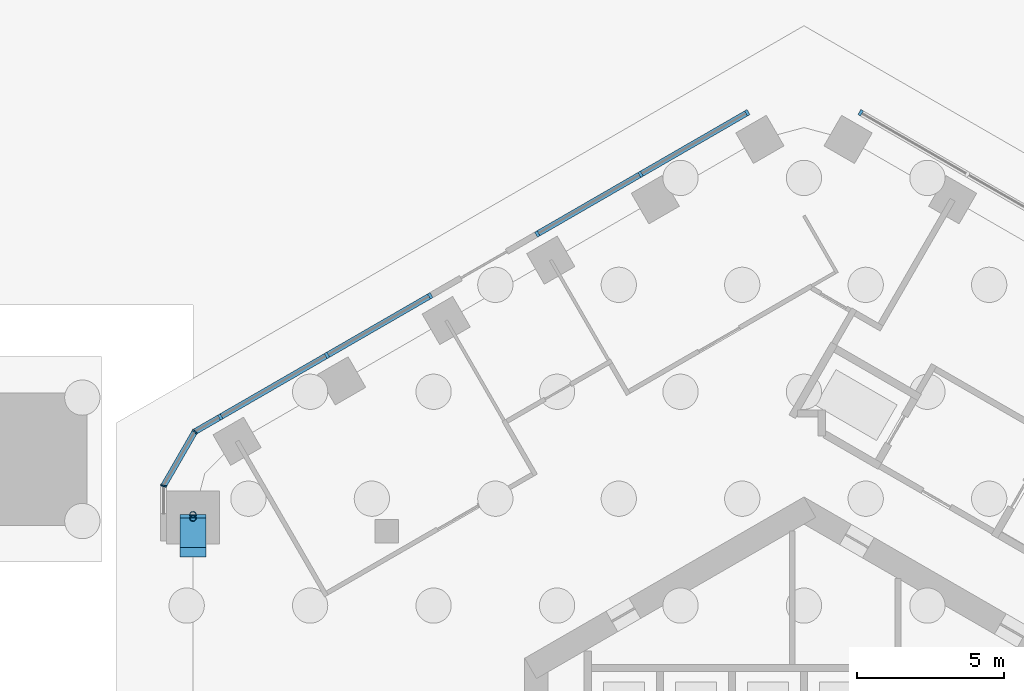
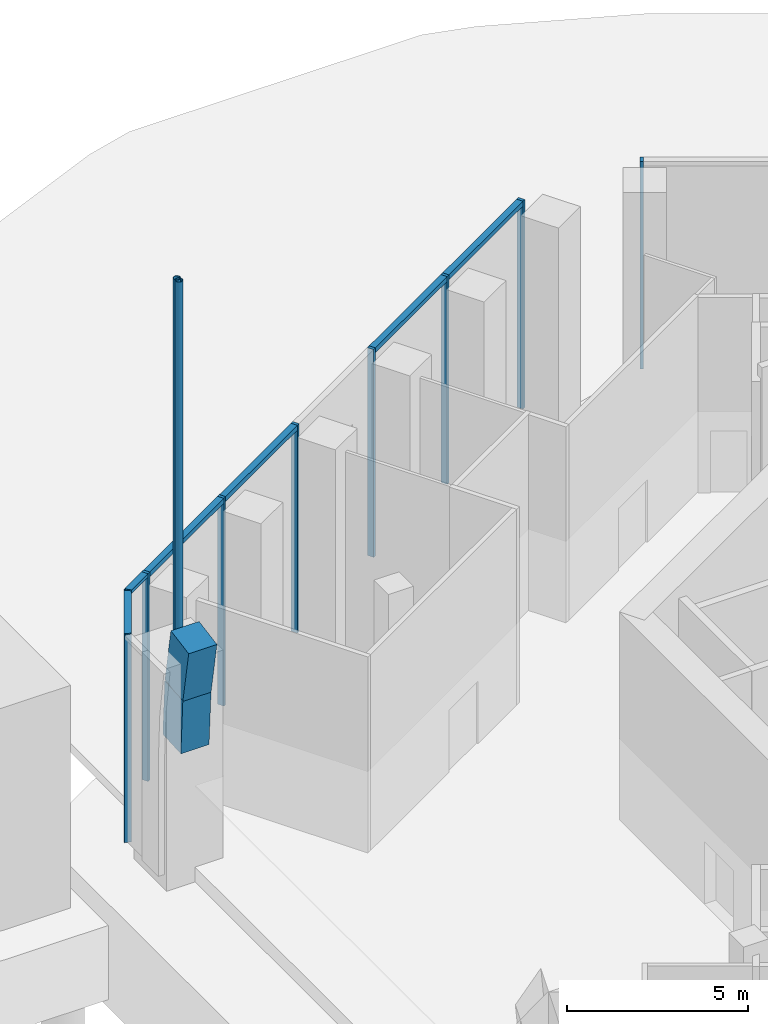
# One storey, part 4 of 18: 15 members, 2 beams, 4 elements without a shape of their own.
"""IFC4 building model written with IfcOpenShell, lengths in metres."""

from ifc_helpers import new_model, si_unit, direction, frame, origin, origin_2d, place, context, subcontext, project, spatial, rectangle, hollow_circle, extrude, material, layer, layer_set, material_profile, profile_set, type_object, element, aggregate, save


model = new_model("IFC4")

# Units and contexts
model_context = context("Model", 3, precision=1e-05, world=origin(), true_north=direction((0.0, 1.0)))
body_context = subcontext(model_context, "Body", "Model", "MODEL_VIEW")
ifc_project = project(units=[si_unit("LENGTHUNIT", "METRE"), si_unit("AREAUNIT", "SQUARE_METRE"), si_unit("VOLUMEUNIT", "CUBIC_METRE"), si_unit("PLANEANGLEUNIT", "RADIAN"), si_unit("MASSUNIT", "GRAM", prefix="KILO")], contexts=[model_context])

# Site, building, storey
site_placement = place(None, origin())
site = spatial("IfcSite", under=ifc_project, at=site_placement, CompositionType="ELEMENT")
building_placement = place(site_placement, origin())
building = spatial("IfcBuilding", under=site, at=building_placement, Name="Ayvan Gate Tower", CompositionType="ELEMENT")
storey_placement = place(building_placement, origin())
storey = spatial("IfcBuildingStorey", under=building, at=storey_placement, Name="L00", CompositionType="ELEMENT", Elevation=0.0)

# Beams
ifc_material_1 = material(Name="Concrete C60/75", Category="concrete")
ifc_material_profile_1 = material_profile(ifc_material_1, rectangle(XDim=0.89990234375, YDim=1.0, at=origin_2d()), Name="RC 900x1000")
ifc_profile_set_1 = profile_set([ifc_material_profile_1], Name="Concrete C60/75")
beam_type = type_object("IfcBeamType", Name="Arch rib RC 900x1000 C60/75", PredefinedType="BEAM", material=ifc_profile_set_1)
for number, where, z_axis, x_axis, name in (
    (1, (-20.78466796875, 9.867919921875, 4.0), (0.0, -0.059573960117, 0.998223894362), (1.0, 0.0, 0.0), "AR-3-1"),
    (2, (-20.78466796875, 9.7568359375, 5.861328125), (0.0, -0.177929066797, 0.984043315708), (1.0, 0.0, 0.0), "AR-3-2"),
):
    element("IfcBeam", number, at=place(storey_placement, frame(where, z_axis=z_axis, x_axis=x_axis)), inside=storey, type_object=beam_type, Name=name, PredefinedType="BEAM", context=body_context, shape_type="SweptSolid", body=[
        extrude(rectangle(XDim=0.89990234375, YDim=1.0, at=origin_2d()), origin(), (0.0, 0.0, 1.0), 1.86474609375),
    ])

# Members
ifc_material_2 = material(Name="Steel S460NH", Category="steel")
ifc_material_profile_2 = material_profile(ifc_material_2, hollow_circle(Radius=0.109619140625, WallThickness=0.012451171875, at=origin_2d()), Name="CHS 219.1x12.5")
ifc_profile_set_2 = profile_set([ifc_material_profile_2], Name="Steel S460NH")
member_type_1 = type_object("IfcMemberType", Name="Arch rib hanger CHS 219.1x12.5", PredefinedType="STRUT", material=ifc_profile_set_2)
member_1_placement = place(storey_placement, frame((-20.78466796875, 10.366943359375, 3.97021484375), z_axis=(0.0, 0.0, 1.0), x_axis=(1.0, 0.0, 0.0)))
element("IfcMember", 3, at=member_1_placement, inside=storey, type_object=member_type_1, Name="ARH-3-1", PredefinedType="STRUT", context=body_context, shape_type="SweptSolid", body=[
    extrude(hollow_circle(Radius=0.109619140625, WallThickness=0.012451171875, at=origin_2d()), origin(), (0.0, 0.0, 1.0), 15.27978515625),
])
member_2_placement = place(storey_placement, frame((-20.78466796875, 10.248779296875, 5.7724609375), z_axis=(0.0, 0.0, 1.0), x_axis=(1.0, 0.0, 0.0)))
element("IfcMember", 4, at=member_2_placement, inside=storey, type_object=member_type_1, Name="ARH-3-2", PredefinedType="STRUT", context=body_context, shape_type="SweptSolid", body=[
    extrude(hollow_circle(Radius=0.109619140625, WallThickness=0.012451171875, at=origin_2d()), origin(), (0.0, 0.0, 1.0), 13.4775390625),
])

# Curtain wall, members
ifc_material_3 = material(Name="Bronze anodised aluminium", Category="aluminium")
ifc_layer_1 = layer(ifc_material_3, 0.199951171875)
ifc_layer_set_1 = layer_set([ifc_layer_1], Name="Bronze anodised aluminium")
curtain_wall_type_1 = type_object("IfcCurtainWallType", Name="Stick curtain wall CW-3", PredefinedType="NOTDEFINED", material=ifc_layer_set_1)
curtain_wall_1_placement = place(storey_placement, origin())
curtain_wall_1 = element("IfcCurtainWall", 5, at=curtain_wall_1_placement, inside=storey, type_object=curtain_wall_type_1, Name="Stick curtain wall CW-3 L00", PredefinedType="NOTDEFINED")
ifc_material_profile_3 = material_profile(ifc_material_3, rectangle(XDim=0.199951171875, YDim=0.10009765625, at=origin_2d()), Name="Stick curtain wall CW-3 mullion 200 x 100")
ifc_profile_set_3 = profile_set([ifc_material_profile_3], Name="Bronze anodised aluminium")
member_type_2 = type_object("IfcMemberType", Name="Stick curtain wall CW-3 mullion 200 x 100", PredefinedType="MULLION", material=ifc_profile_set_3)
member_3_placement = place(storey_placement, frame((-1.92919921875, 24.040771484375, 0.0), z_axis=(0.0, 0.0, 1.0), x_axis=(-0.5, 0.866025403784, 0.0)))
member_3 = element("IfcMember", 6, at=member_3_placement, type_object=member_type_2, Name="CW-3 mullion 1", PredefinedType="MULLION", context=body_context, shape_type="SweptSolid", body=[
    extrude(rectangle(XDim=0.199951171875, YDim=0.10009765625, at=origin_2d()), origin(), (0.0, 0.0, 1.0), 7.0),
])
member_4_placement = place(storey_placement, frame((-5.55712890625, 21.9462890625, 0.0), z_axis=(0.0, 0.0, 1.0), x_axis=(-0.5, 0.866025403784, 0.0)))
member_4 = element("IfcMember", 7, at=member_4_placement, type_object=member_type_2, Name="CW-3 mullion 2", PredefinedType="MULLION", context=body_context, shape_type="SweptSolid", body=[
    extrude(rectangle(XDim=0.199951171875, YDim=0.10009765625, at=origin_2d()), origin(), (0.0, 0.0, 1.0), 7.0),
])
member_5_placement = place(storey_placement, frame((-9.070556640625, 19.917724609375, 0.0), z_axis=(0.0, 0.0, 1.0), x_axis=(-0.5, 0.866025403784, 0.0)))
member_5 = element("IfcMember", 8, at=member_5_placement, type_object=member_type_2, Name="CW-3 mullion 3", PredefinedType="MULLION", context=body_context, shape_type="SweptSolid", body=[
    extrude(rectangle(XDim=0.199951171875, YDim=0.10009765625, at=origin_2d()), origin(), (0.0, 0.0, 1.0), 7.0),
])

curtain_wall_2_placement = place(storey_placement, origin())
curtain_wall_2 = element("IfcCurtainWall", 9, at=curtain_wall_2_placement, inside=storey, type_object=curtain_wall_type_1, Name="Stick curtain wall CW-3 L00", PredefinedType="NOTDEFINED")
member_6_placement = place(storey_placement, frame((-12.7138671875, 17.814208984375, 0.0), z_axis=(0.0, 0.0, 1.0), x_axis=(-0.5, 0.866025403784, 0.0)))
member_6 = element("IfcMember", 10, at=member_6_placement, type_object=member_type_2, Name="CW-3 mullion 1", PredefinedType="MULLION", context=body_context, shape_type="SweptSolid", body=[
    extrude(rectangle(XDim=0.199951171875, YDim=0.10009765625, at=origin_2d()), origin(), (0.0, 0.0, 1.0), 7.0),
])
member_7_placement = place(storey_placement, frame((-16.227294921875, 15.785888671875, 0.0), z_axis=(0.0, 0.0, 1.0), x_axis=(-0.5, 0.866025403784, 0.0)))
member_7 = element("IfcMember", 11, at=member_7_placement, type_object=member_type_2, Name="CW-3 mullion 2", PredefinedType="MULLION", context=body_context, shape_type="SweptSolid", body=[
    extrude(rectangle(XDim=0.199951171875, YDim=0.10009765625, at=origin_2d()), origin(), (0.0, 0.0, 1.0), 7.0),
])
member_8_placement = place(storey_placement, frame((-19.855224609375, 13.691162109375, 0.0), z_axis=(0.0, 0.0, 1.0), x_axis=(-0.5, 0.866025403784, 0.0)))
member_8 = element("IfcMember", 12, at=member_8_placement, type_object=member_type_2, Name="CW-3 mullion 3", PredefinedType="MULLION", context=body_context, shape_type="SweptSolid", body=[
    extrude(rectangle(XDim=0.199951171875, YDim=0.10009765625, at=origin_2d()), origin(), (0.0, 0.0, 1.0), 7.0),
])

# Curtain wall, member
curtain_wall_3_placement = place(storey_placement, origin())
curtain_wall_3 = element("IfcCurtainWall", 13, at=curtain_wall_3_placement, inside=storey, type_object=curtain_wall_type_1, Name="Stick curtain wall CW-3 L00", PredefinedType="NOTDEFINED")
member_9_placement = place(storey_placement, frame((1.92919921875, 24.040771484375, 0.0), z_axis=(0.0, 0.0, 1.0), x_axis=(0.5, 0.866025403784, 0.0)))
member_9 = element("IfcMember", 14, at=member_9_placement, type_object=member_type_2, Name="CW-3 mullion 3", PredefinedType="MULLION", context=body_context, shape_type="SweptSolid", body=[
    extrude(rectangle(XDim=0.199951171875, YDim=0.10009765625, at=origin_2d()), origin(), (0.0, 0.0, 1.0), 7.0),
])
aggregate(curtain_wall_3, [member_9])

# Member
ifc_material_profile_4 = material_profile(ifc_material_3, rectangle(XDim=0.199951171875, YDim=0.159912109375, at=origin_2d()), Name="Stick curtain wall CW-3 transom 200 x 160")
ifc_profile_set_4 = profile_set([ifc_material_profile_4], Name="Bronze anodised aluminium")
member_type_3 = type_object("IfcMemberType", Name="Stick curtain wall CW-3 transom 200 x 160", PredefinedType="USERDEFINED", material=ifc_profile_set_4)
member_10_placement = place(storey_placement, frame((-1.92919921875, 24.040771484375, 6.919921875), z_axis=(-0.866026336112, -0.499998385158, 0.0), x_axis=(0.499998385158, -0.866026336112, 0.0)))
member_10 = element("IfcMember", 15, at=member_10_placement, type_object=member_type_3, Name="CW-3 transom 1", ObjectType="TRANSOM", PredefinedType="USERDEFINED", context=body_context, shape_type="SweptSolid", body=[
    extrude(rectangle(XDim=0.199951171875, YDim=0.159912109375, at=origin_2d()), origin(), (0.0, 0.0, 1.0), 8.24609375),
])

aggregate(curtain_wall_1, [member_3, member_4, member_5, member_10])

member_11_placement = place(storey_placement, frame((-12.7138671875, 17.814208984375, 6.919921875), z_axis=(-0.866026336112, -0.499998385158, 0.0), x_axis=(0.499998385158, -0.866026336112, 0.0)))
member_11 = element("IfcMember", 16, at=member_11_placement, type_object=member_type_3, Name="CW-3 transom 1", ObjectType="TRANSOM", PredefinedType="USERDEFINED", context=body_context, shape_type="SweptSolid", body=[
    extrude(rectangle(XDim=0.199951171875, YDim=0.159912109375, at=origin_2d()), origin(), (0.0, 0.0, 1.0), 8.24609375),
])

aggregate(curtain_wall_2, [member_6, member_7, member_8, member_11])

# Curtain wall, members
ifc_layer_2 = layer(ifc_material_3, 0.199951171875)
ifc_layer_set_2 = layer_set([ifc_layer_2], Name="Bronze anodised aluminium")
curtain_wall_type_2 = type_object("IfcCurtainWallType", Name="Stick curtain wall CW-6", PredefinedType="NOTDEFINED", material=ifc_layer_set_2)
curtain_wall_4_placement = place(storey_placement, origin())
curtain_wall_4 = element("IfcCurtainWall", 17, at=curtain_wall_4_placement, inside=storey, type_object=curtain_wall_type_2, Name="Stick curtain wall CW-6 L00", PredefinedType="NOTDEFINED")
ifc_material_profile_5 = material_profile(ifc_material_3, rectangle(XDim=0.199951171875, YDim=0.050048828125, at=origin_2d()), Name="Stick curtain wall CW-6 mullion 200 x 50")
ifc_profile_set_5 = profile_set([ifc_material_profile_5], Name="Bronze anodised aluminium")
member_type_4 = type_object("IfcMemberType", Name="Stick curtain wall CW-6 mullion 200 x 50", PredefinedType="MULLION", material=ifc_profile_set_5)
member_12_placement = place(storey_placement, frame((-20.721435546875, 13.191162109375, 0.0), z_axis=(0.0, 0.0, 1.0), x_axis=(-0.707106781187, 0.707106781187, 0.0)))
member_12 = element("IfcMember", 18, at=member_12_placement, type_object=member_type_4, Name="CW-6 mullion 2", PredefinedType="MULLION", context=body_context, shape_type="SweptSolid", body=[
    extrude(rectangle(XDim=0.199951171875, YDim=0.050048828125, at=origin_2d()), origin(), (0.0, 0.0, 1.0), 7.0),
])
member_13_placement = place(storey_placement, frame((-21.78466796875, 11.349609375, 0.0), z_axis=(0.0, 0.0, 1.0), x_axis=(-0.965925826289, 0.258819045103, 0.0)))
member_13 = element("IfcMember", 19, at=member_13_placement, type_object=member_type_4, Name="CW-6 mullion 3", PredefinedType="MULLION", context=body_context, shape_type="SweptSolid", body=[
    extrude(rectangle(XDim=0.199951171875, YDim=0.050048828125, at=origin_2d()), origin(), (0.0, 0.0, 1.0), 7.0),
])
ifc_material_profile_6 = material_profile(ifc_material_3, rectangle(XDim=0.199951171875, YDim=0.1201171875, at=origin_2d()), Name="Stick curtain wall CW-6 transom 200 x 120")
ifc_profile_set_6 = profile_set([ifc_material_profile_6], Name="Bronze anodised aluminium")
member_type_5 = type_object("IfcMemberType", Name="Stick curtain wall CW-6 transom 200 x 120", PredefinedType="USERDEFINED", material=ifc_profile_set_6)
member_14_placement = place(storey_placement, frame((-19.898681640625, 13.666259765625, 6.93994140625), z_axis=(-0.865943820382, -0.500141279983, 0.0), x_axis=(0.500141279983, -0.865943820382, 0.0)))
member_14 = element("IfcMember", 20, at=member_14_placement, type_object=member_type_5, Name="CW-6 transom 1", ObjectType="TRANSOM", PredefinedType="USERDEFINED", context=body_context, shape_type="SweptSolid", body=[
    extrude(rectangle(XDim=0.199951171875, YDim=0.1201171875, at=origin_2d()), origin(), (0.0, 0.0, 1.0), 0.925048828125),
])
member_15_placement = place(storey_placement, frame((-20.73388671875, 13.169677734375, 6.93994140625), z_axis=(-0.500020978615, -0.866013291437, 0.0), x_axis=(0.866013291437, -0.500020978615, 0.0)))
member_15 = element("IfcMember", 21, at=member_15_placement, type_object=member_type_5, Name="CW-6 transom 2", ObjectType="TRANSOM", PredefinedType="USERDEFINED", context=body_context, shape_type="SweptSolid", body=[
    extrude(rectangle(XDim=0.199951171875, YDim=0.1201171875, at=origin_2d()), origin(), (0.0, 0.0, 1.0), 2.07666015625),
])
aggregate(curtain_wall_4, [member_12, member_13, member_14, member_15])

save(model, "model.ifc")
